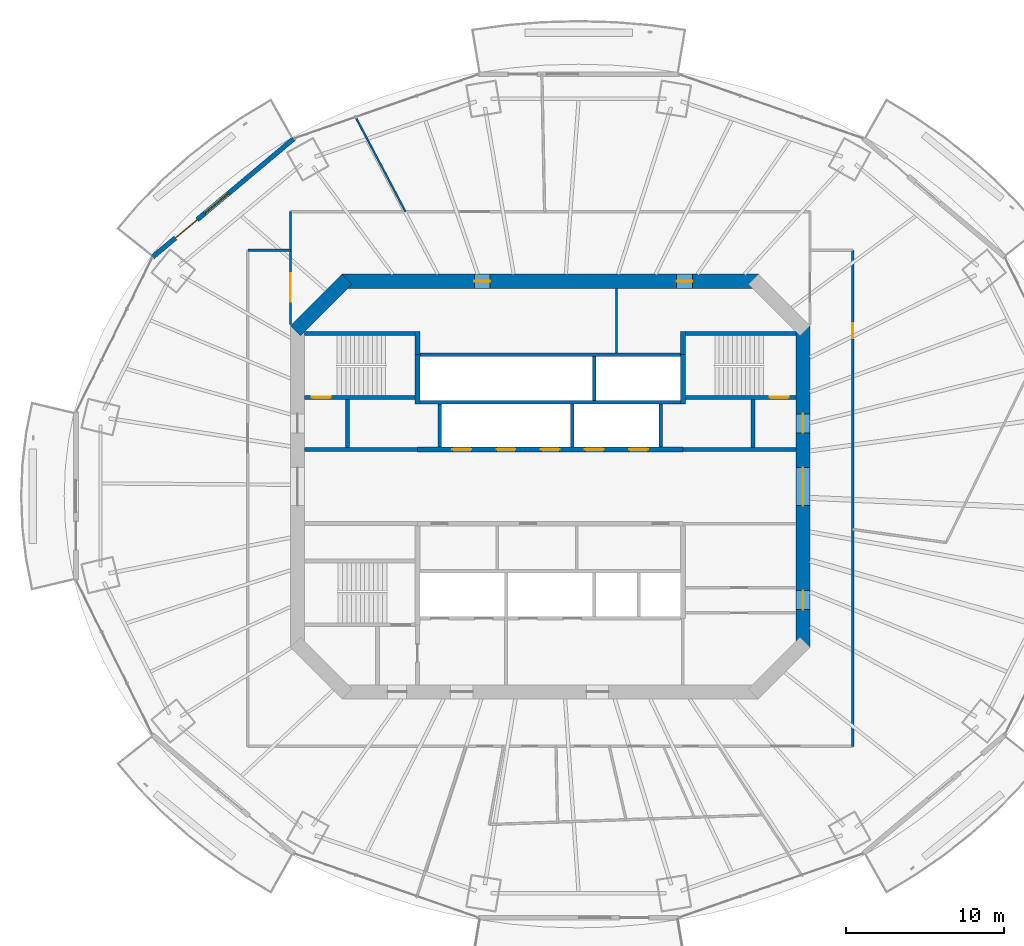
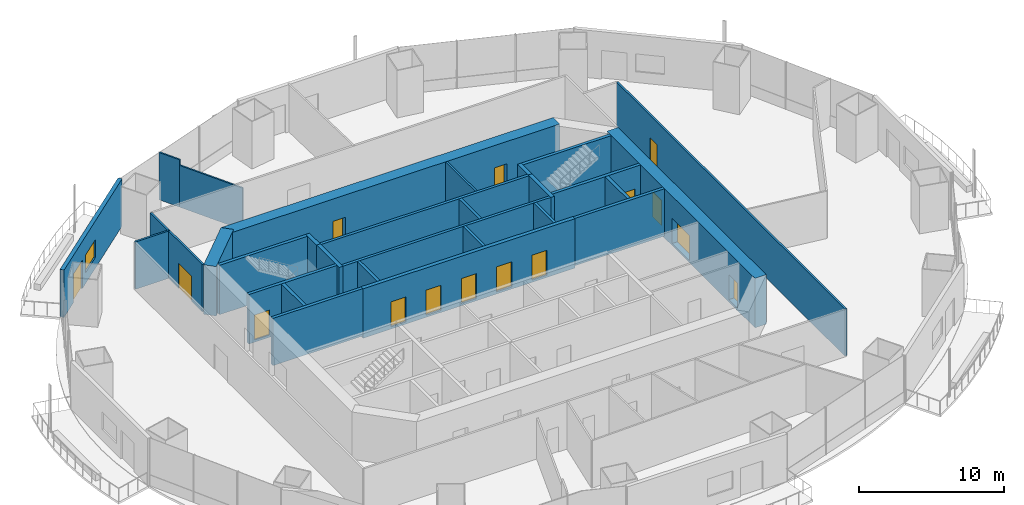
# One storey, part 13 of 20: 29 walls, 15 doors, 1 window, 16 openings.
"""IFC4 building model written with IfcOpenShell, lengths in metres."""

import ifcopenshell
import ifcopenshell.guid

model = None  # the IFC model being written
_history = None  # IfcOwnerHistory: only IFC2X3 demands one
_inside = {}  # id of a spatial element -> (the spatial element, [elements in it])
_under = {}  # id of a project, library or spatial element -> (it, [spatial elements below it])
_declared = {}  # id of a project -> (the project, [libraries it declares])
_typed = {}  # id of a type object -> (the type object, [elements of that type])
_made_of = {}  # id of a material, layer set ... -> (it, [elements and type objects made of it])


def new_model(schema):
    """Start an empty IFC model of exactly this schema.

    Asked for "IFC4X3", IfcOpenShell would pick the latest addendum, in which some entities
    have other attributes; the version numbers below select the first issue.
    IFC2X3 requires an IfcOwnerHistory on every rooted entity: one is made here for all.
    """
    global model, _history
    if schema == "IFC4X3":
        model = ifcopenshell.file(schema_version=(4, 3, 0, 0))
    else:
        model = ifcopenshell.file(schema=schema)
    _inside.clear()
    _under.clear()
    _declared.clear()
    _typed.clear()
    _made_of.clear()
    _history = None
    if model.schema == "IFC2X3":
        org = make("IfcOrganization", Name="unknown")
        user = make(
            "IfcPersonAndOrganization",
            ThePerson=make("IfcPerson", FamilyName="unknown"),
            TheOrganization=org,
        )
        app = make(
            "IfcApplication",
            ApplicationDeveloper=org,
            Version="unknown",
            ApplicationFullName="unknown",
            ApplicationIdentifier="unknown",
        )
        _history = make(
            "IfcOwnerHistory",
            OwningUser=user,
            OwningApplication=app,
            ChangeAction="ADDED",
            CreationDate=0,
        )
    return model


def make(cls, **values):
    """One entity of the class cls with the attributes given. An attribute that is None is left unset."""
    return model.create_entity(
        cls, **{name: value for name, value in values.items() if value is not None}
    )


def rooted(cls, **values):
    """An entity with a GlobalId (a new one), such as an element, a storey or a relation."""
    return make(cls, GlobalId=ifcopenshell.guid.new(), OwnerHistory=_history, **values)


def si_unit(unit_type, name, prefix=None):
    """IfcSIUnit, for example si_unit("LENGTHUNIT", "METRE", prefix="MILLI")."""
    return make("IfcSIUnit", UnitType=unit_type, Prefix=prefix, Name=name)


def assignment(units):
    """IfcUnitAssignment: the units of a project."""
    return None if units is None else make("IfcUnitAssignment", Units=units)


def point(xyz):
    """IfcCartesianPoint."""
    return None if xyz is None else make("IfcCartesianPoint", Coordinates=xyz)


def direction(xyz):
    """IfcDirection."""
    return None if xyz is None else make("IfcDirection", DirectionRatios=xyz)


def frame(location, z_axis=None, x_axis=None):
    """IfcAxis2Placement3D, a coordinate frame: its origin and axes. An axis left out is left unset."""
    return make(
        "IfcAxis2Placement3D",
        Location=point(location),
        Axis=direction(z_axis),
        RefDirection=direction(x_axis),
    )


def frame_2d(location, x_axis=None):
    """IfcAxis2Placement2D, a coordinate frame in the plane: its origin and x axis."""
    return make(
        "IfcAxis2Placement2D", Location=point(location), RefDirection=direction(x_axis)
    )


def origin():
    """The frame at (0, 0, 0) with its axes left unset."""
    return frame((0.0, 0.0, 0.0))


def place(relative_to, where):
    """IfcLocalPlacement: puts the frame where relative to a parent placement (None: the world)."""
    return make(
        "IfcLocalPlacement", PlacementRelTo=relative_to, RelativePlacement=where
    )


def context(
    kind, dimensions, precision=None, world=None, true_north=None, identifier=None
):
    """IfcGeometricRepresentationContext, for example the 3D "Model" context."""
    return make(
        "IfcGeometricRepresentationContext",
        ContextIdentifier=identifier,
        ContextType=kind,
        CoordinateSpaceDimension=dimensions,
        Precision=precision,
        WorldCoordinateSystem=world,
        TrueNorth=true_north,
    )


def subcontext(parent, identifier, kind, view, scale=None):
    """IfcGeometricRepresentationSubContext, for example "Body" below "Model"."""
    return make(
        "IfcGeometricRepresentationSubContext",
        ContextIdentifier=identifier,
        ContextType=kind,
        ParentContext=parent,
        TargetScale=scale,
        TargetView=view,
    )


def project(units=None, contexts=None):
    """IfcProject with its units and contexts."""
    return rooted(
        "IfcProject",
        Name="project",
        RepresentationContexts=contexts,
        UnitsInContext=assignment(units),
    )


def spatial(cls, under=None, at=None, **own):
    """A site, building, storey or space (cls), placed at a placement, below another one or the project."""
    s = rooted(cls, ObjectPlacement=at, **own)
    if under is not None:
        _under.setdefault(under.id(), (under, []))[1].append(s)
    return s


def profile(cls, at=None, kind="AREA", **sizes):
    """A parametric profile (cls). Its sizes go by their IFC names, for example OverallWidth=200.0."""
    return make(cls, ProfileType=kind, Position=at, **sizes)


def rectangle(**sizes):
    """IfcRectangleProfileDef."""
    return profile("IfcRectangleProfileDef", **sizes)


def extrude(swept, where, along, depth):
    """IfcExtrudedAreaSolid: the profile swept, set in the frame where, extruded along a direction by depth."""
    return make(
        "IfcExtrudedAreaSolid",
        SweptArea=swept,
        Position=where,
        ExtrudedDirection=direction(along),
        Depth=depth,
    )


def shape(context_of_items, identifier, shape_type, items):
    """IfcShapeRepresentation: the items that make up one representation, for example the "Body"."""
    return make(
        "IfcShapeRepresentation",
        ContextOfItems=context_of_items,
        RepresentationIdentifier=identifier,
        RepresentationType=shape_type,
        Items=items,
    )


def material(Name=None, Category=None):
    """IfcMaterial."""
    return make("IfcMaterial", Name=Name, Category=Category)


def layer(
    of_material, thickness, ventilated=None, Name=None, Category=None, Priority=None
):
    """IfcMaterialLayer: one layer of a wall or slab, of a material (None: an air gap)."""
    return make(
        "IfcMaterialLayer",
        Material=of_material,
        LayerThickness=thickness,
        IsVentilated=ventilated,
        Name=Name,
        Category=Category,
        Priority=Priority,
    )


def layer_set(layers, Name=None):
    """IfcMaterialLayerSet."""
    return make("IfcMaterialLayerSet", MaterialLayers=layers, LayerSetName=Name)


def made_of(thing, what):
    """Note that an element or type object is made of a material, layer set ...; save() writes the relation."""
    if what is not None:
        _made_of.setdefault(what.id(), (what, []))[1].append(thing)
    return thing


def type_object(cls, material=None, **own):
    """A type object (cls), such as IfcWallType, which elements share."""
    return made_of(rooted(cls, **own), material)


def element(
    cls,
    number,
    at=None,
    inside=None,
    cuts=None,
    type_object=None,
    material=None,
    context=None,
    identifier="Body",
    shape_type=None,
    held_by="IfcProductDefinitionShape",
    body=None,
    shapes=None,
    **own,
):
    """One element of the class cls, such as IfcWall. Its Tag is "e" and its number.

    at: its placement. inside: the storey or other place that contains it. cuts: it is an
    opening in that element (IfcRelVoidsElement). A single representation is given by context,
    identifier, shape_type and body (its items); several are given by shapes. held_by: the class
    of the entity that holds the representations. save() writes the other relations.
    """
    e = rooted(cls, Tag="e%d" % number, ObjectPlacement=at, **own)
    if body is not None:
        shapes = [shape(context, identifier, shape_type, body)]
    if shapes is not None:
        e.Representation = make(held_by, Representations=shapes)
    if inside is not None:
        _inside.setdefault(inside.id(), (inside, []))[1].append(e)
    if cuts is not None:
        rooted(
            "IfcRelVoidsElement", RelatingBuildingElement=cuts, RelatedOpeningElement=e
        )
    if type_object is not None:
        _typed.setdefault(type_object.id(), (type_object, []))[1].append(e)
    return made_of(e, material)


def fill(opening, filler):
    """IfcRelFillsElement: the door or window that sits in an opening."""
    return rooted(
        "IfcRelFillsElement",
        RelatingOpeningElement=opening,
        RelatedBuildingElement=filler,
    )


def aggregate(whole, parts):
    """IfcRelAggregates: a whole, such as a stair, and the parts it consists of."""
    return rooted("IfcRelAggregates", RelatingObject=whole, RelatedObjects=parts)


def save(model, path):
    """Write the relations noted so far, then the file.

    IfcRelAggregates (storeys below a building ...), IfcRelContainedInSpatialStructure (elements
    in a storey), IfcRelDefinesByType, IfcRelAssociatesMaterial and IfcRelDeclares: one each for
    every whole, place, type object, material and project.
    """
    for whole, parts in _under.values():
        aggregate(whole, parts)
    for where, things in _inside.values():
        rooted(
            "IfcRelContainedInSpatialStructure",
            RelatedElements=things,
            RelatingStructure=where,
        )
    for kind, things in _typed.values():
        rooted("IfcRelDefinesByType", RelatedObjects=things, RelatingType=kind)
    for what, things in _made_of.values():
        rooted("IfcRelAssociatesMaterial", RelatedObjects=things, RelatingMaterial=what)
    for by, libraries in _declared.values():
        rooted("IfcRelDeclares", RelatingContext=by, RelatedDefinitions=libraries)
    model.write(path)


model = new_model("IFC4")

# Units and contexts
model_context = context("Model", 3, precision=1e-05, world=origin(), true_north=direction((0.0, 1.0)))
body_context = subcontext(model_context, "Body", "Model", "MODEL_VIEW")
ifc_project = project(units=[si_unit("LENGTHUNIT", "METRE"), si_unit("AREAUNIT", "SQUARE_METRE"), si_unit("VOLUMEUNIT", "CUBIC_METRE"), si_unit("PLANEANGLEUNIT", "RADIAN"), si_unit("MASSUNIT", "GRAM", prefix="KILO")], contexts=[model_context])

# Site, building, storey
site_placement = place(None, origin())
site = spatial("IfcSite", under=ifc_project, at=site_placement, CompositionType="ELEMENT")
building_placement = place(site_placement, origin())
building = spatial("IfcBuilding", under=site, at=building_placement, Name="Marenthal Gate Tower", CompositionType="ELEMENT")
storey_placement = place(building_placement, frame((0.0, 0.0, 173.5)))
storey = spatial("IfcBuildingStorey", under=building, at=storey_placement, Name="L37", CompositionType="ELEMENT", Elevation=173.5)

# Wall, openings, doors
ifc_material_1 = material(Name="Concrete 60 MPa", Category="concrete")
ifc_layer_1 = layer(ifc_material_1, 0.89990234375)
ifc_layer_set_1 = layer_set([ifc_layer_1], Name="Core shear wall 900")
wall_type_1 = type_object("IfcWallType", Name="Core shear wall 900", PredefinedType="SHEAR", material=ifc_layer_set_1)
wall_1_placement = place(storey_placement, frame((16.0, -10.186279296875, -0.179931640625), z_axis=(0.0, 0.0, 1.0), x_axis=(0.0, 1.0, 0.0)))
wall_1 = element("IfcWall", 1, at=wall_1_placement, inside=storey, type_object=wall_type_1, Name="Core wall 02", PredefinedType="SHEAR", context=body_context, shape_type="SweptSolid", body=[
    extrude(rectangle(XDim=20.37255859375, YDim=0.89990234375, at=frame_2d((10.186279296875, 0.0))), origin(), (0.0, 0.0, 1.0), 4.14990234375),
])
opening_1_placement = place(wall_1_placement, frame((8.986328125, 0.0, 0.179931640625)))
opening_1 = element("IfcOpeningElement", 2, at=opening_1_placement, cuts=wall_1, Name="Opening D003.02", PredefinedType="OPENING", context=body_context, shape_type="SweptSolid", body=[
    extrude(rectangle(XDim=2.39990234375, YDim=2.10009765625, at=frame_2d((1.199951171875, 1.050048828125))), frame((0.0, 0.4599609375, 0.0), z_axis=(0.0, -1.0, 0.0), x_axis=(1.0, 0.0, 0.0)), (0.0, 0.0, 1.0), 0.919921875),
])
opening_2_placement = place(wall_1_placement, frame((13.58642578125, 0.0, 0.179931640625)))
opening_2 = element("IfcOpeningElement", 3, at=opening_2_placement, cuts=wall_1, Name="Opening D001.05", PredefinedType="OPENING", context=body_context, shape_type="SweptSolid", body=[
    extrude(rectangle(XDim=1.199951171875, YDim=2.10009765625, at=frame_2d((0.60009765625, 1.050048828125))), frame((0.0, 0.4599609375, 0.0), z_axis=(0.0, -1.0, 0.0), x_axis=(1.0, 0.0, 0.0)), (0.0, 0.0, 1.0), 0.919921875),
])
opening_3_placement = place(wall_1_placement, frame((2.39990234375, 0.0, 0.179931640625)))
opening_3 = element("IfcOpeningElement", 4, at=opening_3_placement, cuts=wall_1, Name="Opening D006.01", PredefinedType="OPENING", context=body_context, shape_type="SweptSolid", body=[
    extrude(rectangle(XDim=1.199951171875, YDim=2.10009765625, at=frame_2d((0.60009765625, 1.050048828125))), frame((0.0, 0.4599609375, 0.0), z_axis=(0.0, -1.0, 0.0), x_axis=(1.0, 0.0, 0.0)), (0.0, 0.0, 1.0), 0.919921875),
])
ifc_material_2 = material(Name="Steel fire door", Category="steel")
door_type_1 = type_object("IfcDoorType", Name="Double fire door FD 45 2400 x 2100", OperationType="DOUBLE_DOOR_SINGLE_SWING", PredefinedType="DOOR", material=ifc_material_2)
door_1_placement = place(opening_1_placement, origin())
door_1 = element("IfcDoor", 5, at=door_1_placement, inside=storey, type_object=door_type_1, Name="Door D003.02", OperationType="DOUBLE_DOOR_SINGLE_SWING", OverallHeight=2.10009765625, OverallWidth=2.39990234375, PredefinedType="DOOR", context=body_context, shape_type="SweptSolid", body=[
    extrude(rectangle(XDim=2.39990234375, YDim=2.10009765625, at=frame_2d((1.199951171875, 1.050048828125))), frame((0.0, 0.02490234375, 0.0), z_axis=(0.0, -1.0, 0.0), x_axis=(1.0, 0.0, 0.0)), (0.0, 0.0, 1.0), 0.050048828125),
])
fill(opening_1, door_1)
ifc_material_3 = material(Name="Steel fire door", Category="steel")
door_type_2 = type_object("IfcDoorType", Name="Fire door FD 45 1200 x 2100", OperationType="NOTDEFINED", PredefinedType="DOOR", material=ifc_material_3)
door_2_placement = place(opening_3_placement, origin())
door_2 = element("IfcDoor", 6, at=door_2_placement, inside=storey, type_object=door_type_2, Name="Door D006.01", OperationType="SINGLE_SWING_RIGHT", OverallHeight=2.10009765625, OverallWidth=1.199951171875, PredefinedType="DOOR", context=body_context, shape_type="SweptSolid", body=[
    extrude(rectangle(XDim=1.199951171875, YDim=2.10009765625, at=frame_2d((0.60009765625, 1.050048828125))), frame((0.0, 0.02490234375, 0.0), z_axis=(0.0, -1.0, 0.0), x_axis=(1.0, 0.0, 0.0)), (0.0, 0.0, 1.0), 0.050048828125),
])
fill(opening_3, door_2)
ifc_material_4 = material(Name="Steel fire door", Category="steel")
door_type_3 = type_object("IfcDoorType", Name="Fire door FD 90 1200 x 2100", OperationType="NOTDEFINED", PredefinedType="DOOR", material=ifc_material_4)
door_3_placement = place(opening_2_placement, origin())
door_3 = element("IfcDoor", 7, at=door_3_placement, inside=storey, type_object=door_type_3, Name="Door D001.05", OperationType="SINGLE_SWING_RIGHT", OverallHeight=2.10009765625, OverallWidth=1.199951171875, PredefinedType="DOOR", context=body_context, shape_type="SweptSolid", body=[
    extrude(rectangle(XDim=1.199951171875, YDim=2.10009765625, at=frame_2d((0.60009765625, 1.050048828125))), frame((0.0, 0.02490234375, 0.0), z_axis=(0.0, -1.0, 0.0), x_axis=(1.0, 0.0, 0.0)), (0.0, 0.0, 1.0), 0.050048828125),
])
fill(opening_2, door_3)

wall_2_placement = place(storey_placement, frame((13.186279296875, 13.0, -0.179931640625), z_axis=(0.0, 0.0, 1.0), x_axis=(-1.0, 0.0, 0.0)))
wall_2 = element("IfcWall", 8, at=wall_2_placement, inside=storey, type_object=wall_type_1, Name="Core wall 04", PredefinedType="SHEAR", context=body_context, shape_type="SweptSolid", body=[
    extrude(rectangle(XDim=26.37255859375, YDim=0.89990234375, at=frame_2d((13.186279296875, 0.0))), origin(), (0.0, 0.0, 1.0), 4.14990234375),
])
opening_4_placement = place(wall_2_placement, frame((16.993408203125, 0.0, 0.179931640625)))
opening_4 = element("IfcOpeningElement", 9, at=opening_4_placement, cuts=wall_2, Name="Opening D005.04", PredefinedType="OPENING", context=body_context, shape_type="SweptSolid", body=[
    extrude(rectangle(XDim=1.0, YDim=2.10009765625, at=frame_2d((0.5, 1.050048828125))), frame((0.0, 0.4599609375, 0.0), z_axis=(0.0, -1.0, 0.0), x_axis=(1.0, 0.0, 0.0)), (0.0, 0.0, 1.0), 0.919921875),
])
opening_5_placement = place(wall_2_placement, frame((4.179443359375, 0.0, 0.179931640625)))
opening_5 = element("IfcOpeningElement", 10, at=opening_5_placement, cuts=wall_2, Name="Opening D005.05", PredefinedType="OPENING", context=body_context, shape_type="SweptSolid", body=[
    extrude(rectangle(XDim=1.0, YDim=2.10009765625, at=frame_2d((0.5, 1.050048828125))), frame((0.0, 0.4599609375, 0.0), z_axis=(0.0, -1.0, 0.0), x_axis=(1.0, 0.0, 0.0)), (0.0, 0.0, 1.0), 0.919921875),
])
ifc_material_5 = material(Name="Steel fire door", Category="steel")
door_type_4 = type_object("IfcDoorType", Name="Fire door FD 45 1000 x 2100", OperationType="NOTDEFINED", PredefinedType="DOOR", material=ifc_material_5)
door_4_placement = place(opening_4_placement, origin())
door_4 = element("IfcDoor", 11, at=door_4_placement, inside=storey, type_object=door_type_4, Name="Door D005.04", OperationType="SINGLE_SWING_RIGHT", OverallHeight=2.10009765625, OverallWidth=1.0, PredefinedType="DOOR", context=body_context, shape_type="SweptSolid", body=[
    extrude(rectangle(XDim=1.0, YDim=2.10009765625, at=frame_2d((0.5, 1.050048828125))), frame((0.0, 0.02490234375, 0.0), z_axis=(0.0, -1.0, 0.0), x_axis=(1.0, 0.0, 0.0)), (0.0, 0.0, 1.0), 0.050048828125),
])
fill(opening_4, door_4)
door_5_placement = place(opening_5_placement, origin())
door_5 = element("IfcDoor", 12, at=door_5_placement, inside=storey, type_object=door_type_4, Name="Door D005.05", OperationType="SINGLE_SWING_RIGHT", OverallHeight=2.10009765625, OverallWidth=1.0, PredefinedType="DOOR", context=body_context, shape_type="SweptSolid", body=[
    extrude(rectangle(XDim=1.0, YDim=2.10009765625, at=frame_2d((0.5, 1.050048828125))), frame((0.0, 0.02490234375, 0.0), z_axis=(0.0, -1.0, 0.0), x_axis=(1.0, 0.0, 0.0)), (0.0, 0.0, 1.0), 0.050048828125),
])
fill(opening_5, door_5)

# Wall
wall_3_placement = place(storey_placement, frame((-12.8681640625, 13.1318359375, -0.179931640625), z_axis=(0.0, 0.0, 1.0), x_axis=(-0.707106781187, -0.707106781187, 0.0)))
element("IfcWall", 13, at=wall_3_placement, inside=storey, type_object=wall_type_1, Name="Core wall 05", PredefinedType="SHEAR", context=body_context, shape_type="SweptSolid", body=[
    extrude(rectangle(XDim=4.615478515625, YDim=0.89990234375, at=frame_2d((2.3076171875, 0.0))), origin(), (0.0, 0.0, 1.0), 4.14990234375),
])

# Wall, openings, doors
ifc_material_6 = material(Name="Concrete 50 MPa", Category="concrete")
ifc_layer_2 = layer(ifc_material_6, 0.300048828125)
ifc_layer_set_2 = layer_set([ifc_layer_2], Name="Hoistway shear wall 300")
wall_type_2 = type_object("IfcWallType", Name="Hoistway shear wall 300", PredefinedType="SHEAR", material=ifc_layer_set_2)
wall_4_placement = place(storey_placement, frame((-8.39990234375, 2.35009765625, -0.179931640625), z_axis=(0.0, 0.0, 1.0), x_axis=(1.0, 0.0, 0.0)))
wall_4 = element("IfcWall", 14, at=wall_4_placement, inside=storey, type_object=wall_type_2, Name="Hoistway wall 20", PredefinedType="SHEAR", context=body_context, shape_type="SweptSolid", body=[
    extrude(rectangle(XDim=16.7998046875, YDim=0.300048828125, at=frame_2d((8.39990234375, 0.0))), origin(), (0.0, 0.0, 1.0), 4.14990234375),
])
opening_6_placement = place(wall_4_placement, frame((2.199951171875, 0.0, 0.179931640625)))
opening_6 = element("IfcOpeningElement", 15, at=opening_6_placement, cuts=wall_4, Name="Opening LD-MP1", PredefinedType="OPENING", context=body_context, shape_type="SweptSolid", body=[
    extrude(rectangle(XDim=1.199951171875, YDim=2.10009765625, at=frame_2d((0.60009765625, 1.050048828125))), frame((0.0, 0.16015625, 0.0), z_axis=(0.0, -1.0, 0.0), x_axis=(1.0, 0.0, 0.0)), (0.0, 0.0, 1.0), 0.320068359375),
])
opening_7_placement = place(wall_4_placement, frame((5.0, 0.0, 0.179931640625)))
opening_7 = element("IfcOpeningElement", 16, at=opening_7_placement, cuts=wall_4, Name="Opening LD-MP2", PredefinedType="OPENING", context=body_context, shape_type="SweptSolid", body=[
    extrude(rectangle(XDim=1.199951171875, YDim=2.10009765625, at=frame_2d((0.60009765625, 1.050048828125))), frame((0.0, 0.16015625, 0.0), z_axis=(0.0, -1.0, 0.0), x_axis=(1.0, 0.0, 0.0)), (0.0, 0.0, 1.0), 0.320068359375),
])
opening_8_placement = place(wall_4_placement, frame((7.800048828125, 0.0, 0.179931640625)))
opening_8 = element("IfcOpeningElement", 17, at=opening_8_placement, cuts=wall_4, Name="Opening LD-MP3", PredefinedType="OPENING", context=body_context, shape_type="SweptSolid", body=[
    extrude(rectangle(XDim=1.199951171875, YDim=2.10009765625, at=frame_2d((0.60009765625, 1.050048828125))), frame((0.0, 0.16015625, 0.0), z_axis=(0.0, -1.0, 0.0), x_axis=(1.0, 0.0, 0.0)), (0.0, 0.0, 1.0), 0.320068359375),
])
opening_9_placement = place(wall_4_placement, frame((10.60009765625, 0.0, 0.179931640625)))
opening_9 = element("IfcOpeningElement", 18, at=opening_9_placement, cuts=wall_4, Name="Opening LD-MP4", PredefinedType="OPENING", context=body_context, shape_type="SweptSolid", body=[
    extrude(rectangle(XDim=1.199951171875, YDim=2.10009765625, at=frame_2d((0.60009765625, 1.050048828125))), frame((0.0, 0.16015625, 0.0), z_axis=(0.0, -1.0, 0.0), x_axis=(1.0, 0.0, 0.0)), (0.0, 0.0, 1.0), 0.320068359375),
])
opening_10_placement = place(wall_4_placement, frame((13.39990234375, 0.0, 0.179931640625)))
opening_10 = element("IfcOpeningElement", 19, at=opening_10_placement, cuts=wall_4, Name="Opening LD-MP5", PredefinedType="OPENING", context=body_context, shape_type="SweptSolid", body=[
    extrude(rectangle(XDim=1.199951171875, YDim=2.10009765625, at=frame_2d((0.60009765625, 1.050048828125))), frame((0.0, 0.16015625, 0.0), z_axis=(0.0, -1.0, 0.0), x_axis=(1.0, 0.0, 0.0)), (0.0, 0.0, 1.0), 0.320068359375),
])
ifc_material_7 = material(Name="Stainless steel sliding door", Category="steel")
door_type_5 = type_object("IfcDoorType", Name="Lift landing door FD 90 1200 x 2100", OperationType="DOUBLE_DOOR_SLIDING", PredefinedType="DOOR", material=ifc_material_7)
door_6_placement = place(opening_6_placement, origin())
door_6 = element("IfcDoor", 20, at=door_6_placement, inside=storey, type_object=door_type_5, Name="Lift landing door MP1", OperationType="DOUBLE_DOOR_SLIDING", OverallHeight=2.10009765625, OverallWidth=1.199951171875, PredefinedType="DOOR", context=body_context, shape_type="SweptSolid", body=[
    extrude(rectangle(XDim=1.199951171875, YDim=2.10009765625, at=frame_2d((0.60009765625, 1.050048828125))), frame((0.0, 0.02490234375, 0.0), z_axis=(0.0, -1.0, 0.0), x_axis=(1.0, 0.0, 0.0)), (0.0, 0.0, 1.0), 0.050048828125),
])
fill(opening_6, door_6)
door_7_placement = place(opening_7_placement, origin())
door_7 = element("IfcDoor", 21, at=door_7_placement, inside=storey, type_object=door_type_5, Name="Lift landing door MP2", OperationType="DOUBLE_DOOR_SLIDING", OverallHeight=2.10009765625, OverallWidth=1.199951171875, PredefinedType="DOOR", context=body_context, shape_type="SweptSolid", body=[
    extrude(rectangle(XDim=1.199951171875, YDim=2.10009765625, at=frame_2d((0.60009765625, 1.050048828125))), frame((0.0, 0.02490234375, 0.0), z_axis=(0.0, -1.0, 0.0), x_axis=(1.0, 0.0, 0.0)), (0.0, 0.0, 1.0), 0.050048828125),
])
fill(opening_7, door_7)
door_8_placement = place(opening_8_placement, origin())
door_8 = element("IfcDoor", 22, at=door_8_placement, inside=storey, type_object=door_type_5, Name="Lift landing door MP3", OperationType="DOUBLE_DOOR_SLIDING", OverallHeight=2.10009765625, OverallWidth=1.199951171875, PredefinedType="DOOR", context=body_context, shape_type="SweptSolid", body=[
    extrude(rectangle(XDim=1.199951171875, YDim=2.10009765625, at=frame_2d((0.60009765625, 1.050048828125))), frame((0.0, 0.02490234375, 0.0), z_axis=(0.0, -1.0, 0.0), x_axis=(1.0, 0.0, 0.0)), (0.0, 0.0, 1.0), 0.050048828125),
])
fill(opening_8, door_8)
door_9_placement = place(opening_9_placement, origin())
door_9 = element("IfcDoor", 23, at=door_9_placement, inside=storey, type_object=door_type_5, Name="Lift landing door MP4", OperationType="DOUBLE_DOOR_SLIDING", OverallHeight=2.10009765625, OverallWidth=1.199951171875, PredefinedType="DOOR", context=body_context, shape_type="SweptSolid", body=[
    extrude(rectangle(XDim=1.199951171875, YDim=2.10009765625, at=frame_2d((0.60009765625, 1.050048828125))), frame((0.0, 0.02490234375, 0.0), z_axis=(0.0, -1.0, 0.0), x_axis=(1.0, 0.0, 0.0)), (0.0, 0.0, 1.0), 0.050048828125),
])
fill(opening_9, door_9)
door_10_placement = place(opening_10_placement, origin())
door_10 = element("IfcDoor", 24, at=door_10_placement, inside=storey, type_object=door_type_5, Name="Lift landing door MP5", OperationType="DOUBLE_DOOR_SLIDING", OverallHeight=2.10009765625, OverallWidth=1.199951171875, PredefinedType="DOOR", context=body_context, shape_type="SweptSolid", body=[
    extrude(rectangle(XDim=1.199951171875, YDim=2.10009765625, at=frame_2d((0.60009765625, 1.050048828125))), frame((0.0, 0.02490234375, 0.0), z_axis=(0.0, -1.0, 0.0), x_axis=(1.0, 0.0, 0.0)), (0.0, 0.0, 1.0), 0.050048828125),
])
fill(opening_10, door_10)

# Walls
for number, where, z_axis, x_axis, name in (
    (25, (-8.39990234375, 5.239990234375, -0.179931640625), (0.0, 0.0, 1.0), (0.0, 1.0, 0.0), "Hoistway wall 32"),
    (26, (8.39990234375, 5.239990234375, -0.179931640625), (0.0, 0.0, 1.0), (0.0, 1.0, 0.0), "Hoistway wall 47"),
):
    element("IfcWall", number, at=place(storey_placement, frame(where, z_axis=z_axis, x_axis=x_axis)), inside=storey, type_object=wall_type_2, Name=name, PredefinedType="SHEAR", context=body_context, shape_type="SweptSolid", body=[
        extrude(rectangle(XDim=3.110107421875, YDim=0.300048828125, at=frame_2d((1.55517578125, 0.0))), origin(), (0.0, 0.0, 1.0), 4.14990234375),
    ])
ifc_material_8 = material(Name="Concrete 40 MPa", Category="concrete")
ifc_layer_3 = layer(ifc_material_8, 0.219970703125)
ifc_layer_set_3 = layer_set([ifc_layer_3], Name="Hoistway wall 220")
wall_type_3 = type_object("IfcWallType", Name="Hoistway wall 220", PredefinedType="STANDARD", material=ifc_layer_set_3)
for number, where, z_axis, x_axis, name in (
    (27, (-8.25, 5.35009765625, 0.0), (0.0, 0.0, 1.0), (1.0, 0.0, 0.0), "Hoistway wall 22"),
    (28, (-8.25, 8.35009765625, 0.0), (0.0, 0.0, 1.0), (1.0, 0.0, 0.0), "Hoistway wall 25"),
):
    element("IfcWall", number, at=place(storey_placement, frame(where, z_axis=z_axis, x_axis=x_axis)), inside=storey, type_object=wall_type_3, Name=name, PredefinedType="STANDARD", context=body_context, shape_type="SweptSolid", body=[
        extrude(rectangle(XDim=16.5, YDim=0.219970703125, at=frame_2d((8.25, 0.0))), origin(), (0.0, 0.0, 1.0), 3.969970703125),
    ])
for number, where, z_axis, x_axis, name in (
    (29, (-7.0, 2.5, 0.0), (0.0, 0.0, 1.0), (0.0, 1.0, 0.0), "Hoistway wall 34"),
    (30, (1.39990234375, 2.5, 0.0), (0.0, 0.0, 1.0), (0.0, 1.0, 0.0), "Hoistway wall 38"),
):
    element("IfcWall", number, at=place(storey_placement, frame(where, z_axis=z_axis, x_axis=x_axis)), inside=storey, type_object=wall_type_3, Name=name, PredefinedType="STANDARD", context=body_context, shape_type="SweptSolid", body=[
        extrude(rectangle(XDim=2.739990234375, YDim=0.219970703125, at=frame_2d((1.3701171875, 0.0))), origin(), (0.0, 0.0, 1.0), 3.969970703125),
    ])
wall_5_placement = place(storey_placement, frame((2.800048828125, 5.4599609375, 0.0), z_axis=(0.0, 0.0, 1.0), x_axis=(0.0, 1.0, 0.0)))
element("IfcWall", 31, at=wall_5_placement, inside=storey, type_object=wall_type_3, Name="Hoistway wall 41", PredefinedType="STANDARD", context=body_context, shape_type="SweptSolid", body=[
    extrude(rectangle(XDim=2.780029296875, YDim=0.219970703125, at=frame_2d((1.39013671875, 0.0))), origin(), (0.0, 0.0, 1.0), 3.969970703125),
])
wall_6_placement = place(storey_placement, frame((7.0, 2.5, 0.0), z_axis=(0.0, 0.0, 1.0), x_axis=(0.0, 1.0, 0.0)))
element("IfcWall", 32, at=wall_6_placement, inside=storey, type_object=wall_type_3, Name="Hoistway wall 44", PredefinedType="STANDARD", context=body_context, shape_type="SweptSolid", body=[
    extrude(rectangle(XDim=2.739990234375, YDim=0.219970703125, at=frame_2d((1.3701171875, 0.0))), origin(), (0.0, 0.0, 1.0), 3.969970703125),
])
ifc_material_9 = material(Name="Gypsum board on steel studs", Category="steel")
ifc_layer_4 = layer(ifc_material_9, 0.1201171875)
ifc_layer_set_4 = layer_set([ifc_layer_4], Name="Partition 120")
wall_type_4 = type_object("IfcWallType", Name="Partition 120", PredefinedType="PARTITIONING", material=ifc_layer_set_4)
wall_7_placement = place(storey_placement, frame((-9.169189453125, 17.408935546875, 0.0), z_axis=(0.0, 0.0, 1.0), x_axis=(-0.466012759034, 0.88477799951, 0.0)))
element("IfcWall", 33, at=wall_7_placement, inside=storey, type_object=wall_type_4, Name="Partition wall 54", PredefinedType="PARTITIONING", context=body_context, shape_type="SweptSolid", body=[
    extrude(rectangle(XDim=5.10009765625, YDim=0.1201171875, at=frame_2d((2.550048828125, 0.0))), origin(), (0.0, 0.0, 1.0), 3.5029296875),
])
wall_8_placement = place(storey_placement, frame((-11.5458984375, 21.92138671875, 0.0), z_axis=(0.0, 0.0, 1.0), x_axis=(-0.465981879328, 0.88479426317, 0.0)))
element("IfcWall", 34, at=wall_8_placement, inside=storey, type_object=wall_type_4, Name="Partition wall 70", PredefinedType="PARTITIONING", context=body_context, shape_type="SweptSolid", body=[
    extrude(rectangle(XDim=1.66650390625, YDim=0.1201171875, at=frame_2d((0.833251953125, 0.0))), origin(), (0.0, 0.0, 1.0), 3.969970703125),
])
ifc_material_10 = material(Name="Gypsum board on steel studs", Category="steel")
ifc_layer_5 = layer(ifc_material_10, 0.14990234375)
ifc_layer_set_5 = layer_set([ifc_layer_5], Name="Partition 150")
wall_type_5 = type_object("IfcWallType", Name="Partition 150", PredefinedType="PARTITIONING", material=ifc_layer_set_5)
wall_9_placement = place(storey_placement, frame((4.199951171875, 8.4599609375, 0.0), z_axis=(0.0, 0.0, 1.0), x_axis=(0.0, 1.0, 0.0)))
element("IfcWall", 35, at=wall_9_placement, inside=storey, type_object=wall_type_5, Name="Partition wall 42", PredefinedType="PARTITIONING", context=body_context, shape_type="SweptSolid", body=[
    extrude(rectangle(XDim=4.090087890625, YDim=0.14990234375, at=frame_2d((2.044921875, 0.0))), origin(), (0.0, 0.0, 1.0), 3.969970703125),
])
wall_10_placement = place(storey_placement, frame((-19.14990234375, 14.954833984375, 0.0), z_axis=(0.0, 0.0, 1.0), x_axis=(1.0, 0.0, 0.0)))
element("IfcWall", 36, at=wall_10_placement, inside=storey, type_object=wall_type_5, Name="Partition wall 51", PredefinedType="PARTITIONING", context=body_context, shape_type="SweptSolid", body=[
    extrude(rectangle(XDim=2.699951171875, YDim=0.14990234375, at=frame_2d((1.35009765625, 0.0))), origin(), (0.0, 0.0, 1.0), 3.969970703125),
])

# Wall, opening, door
wall_11_placement = place(storey_placement, frame((-16.449951171875, 10.25, 0.0), z_axis=(0.0, 0.0, 1.0), x_axis=(0.0, 1.0, 0.0)))
wall_11 = element("IfcWall", 37, at=wall_11_placement, inside=storey, type_object=wall_type_5, Name="Partition wall 52", PredefinedType="PARTITIONING", context=body_context, shape_type="SweptSolid", body=[
    extrude(rectangle(XDim=7.158935546875, YDim=0.14990234375, at=frame_2d((3.57958984375, 0.0))), origin(), (0.0, 0.0, 1.0), 3.969970703125),
])
opening_11_placement = place(wall_11_placement, frame((1.451904296875, 0.0, 0.0)))
opening_11 = element("IfcOpeningElement", 38, at=opening_11_placement, cuts=wall_11, Name="Opening D014.04", PredefinedType="OPENING", context=body_context, shape_type="SweptSolid", body=[
    extrude(rectangle(XDim=1.800048828125, YDim=2.10009765625, at=frame_2d((0.89990234375, 1.050048828125))), frame((0.0, 0.0849609375, 0.0), z_axis=(0.0, -1.0, 0.0), x_axis=(1.0, 0.0, 0.0)), (0.0, 0.0, 1.0), 0.169921875),
])
ifc_material_11 = material(Name="Timber door", Category="wood")
door_type_6 = type_object("IfcDoorType", Name="Double door 1800 x 2100", OperationType="DOUBLE_DOOR_SINGLE_SWING", PredefinedType="DOOR", material=ifc_material_11)
door_11_placement = place(opening_11_placement, origin())
door_11 = element("IfcDoor", 39, at=door_11_placement, inside=storey, type_object=door_type_6, Name="Door D014.04", OperationType="DOUBLE_DOOR_SINGLE_SWING", OverallHeight=2.10009765625, OverallWidth=1.800048828125, PredefinedType="DOOR", context=body_context, shape_type="SweptSolid", body=[
    extrude(rectangle(XDim=1.800048828125, YDim=2.10009765625, at=frame_2d((0.89990234375, 1.050048828125))), frame((0.0, 0.02490234375, 0.0), z_axis=(0.0, -1.0, 0.0), x_axis=(1.0, 0.0, 0.0)), (0.0, 0.0, 1.0), 0.050048828125),
])
fill(opening_11, door_11)

wall_12_placement = place(storey_placement, frame((19.14990234375, 14.954833984375, 0.0), z_axis=(0.0, 0.0, 1.0), x_axis=(0.0, -1.0, 0.0)))
wall_12 = element("IfcWall", 40, at=wall_12_placement, inside=storey, type_object=wall_type_5, Name="Partition wall 66", PredefinedType="PARTITIONING", context=body_context, shape_type="SweptSolid", body=[
    extrude(rectangle(XDim=31.40478515625, YDim=0.14990234375, at=frame_2d((15.702392578125, 0.0))), origin(), (0.0, 0.0, 1.0), 3.969970703125),
])
opening_12_placement = place(wall_12_placement, frame((4.612060546875, 0.0, 0.0)))
opening_12 = element("IfcOpeningElement", 41, at=opening_12_placement, cuts=wall_12, Name="Opening D016.06", PredefinedType="OPENING", context=body_context, shape_type="SweptSolid", body=[
    extrude(rectangle(XDim=0.949951171875, YDim=2.10009765625, at=frame_2d((0.47509765625, 1.050048828125))), frame((0.0, 0.0849609375, 0.0), z_axis=(0.0, -1.0, 0.0), x_axis=(1.0, 0.0, 0.0)), (0.0, 0.0, 1.0), 0.169921875),
])
ifc_material_12 = material(Name="Timber door", Category="wood")
door_type_7 = type_object("IfcDoorType", Name="Door 950 x 2100", OperationType="NOTDEFINED", PredefinedType="DOOR", material=ifc_material_12)
door_12_placement = place(opening_12_placement, frame((0.949951171875, 0.0, 0.0), z_axis=(0.0, 0.0, 1.0), x_axis=(-1.0, 0.0, 0.0)))
door_12 = element("IfcDoor", 42, at=door_12_placement, inside=storey, type_object=door_type_7, Name="Door D016.06", OperationType="SINGLE_SWING_LEFT", OverallHeight=2.10009765625, OverallWidth=0.949951171875, PredefinedType="DOOR", context=body_context, shape_type="SweptSolid", body=[
    extrude(rectangle(XDim=0.949951171875, YDim=2.10009765625, at=frame_2d((0.47509765625, 1.050048828125))), frame((0.0, 0.02490234375, 0.0), z_axis=(0.0, -1.0, 0.0), x_axis=(1.0, 0.0, 0.0)), (0.0, 0.0, 1.0), 0.050048828125),
])
fill(opening_12, door_12)

# Walls
ifc_material_13 = material(Name="Concrete 40 MPa", Category="concrete")
ifc_layer_6 = layer(ifc_material_13, 0.25)
ifc_layer_set_6 = layer_set([ifc_layer_6], Name="Stair enclosure wall 250")
wall_type_6 = type_object("IfcWallType", Name="Stair enclosure wall 250", PredefinedType="STANDARD", material=ifc_layer_set_6)
for number, where, z_axis, x_axis, name in (
    (43, (-15.550048828125, 2.35009765625, 0.0), (0.0, 0.0, 1.0), (1.0, 0.0, 0.0), "Stair wall 19"),
    (44, (8.39990234375, 2.35009765625, 0.0), (0.0, 0.0, 1.0), (1.0, 0.0, 0.0), "Stair wall 21"),
):
    element("IfcWall", number, at=place(storey_placement, frame(where, z_axis=z_axis, x_axis=x_axis)), inside=storey, type_object=wall_type_6, Name=name, PredefinedType="STANDARD", context=body_context, shape_type="SweptSolid", body=[
        extrude(rectangle(XDim=7.150146484375, YDim=0.25, at=frame_2d((3.5751953125, 0.0))), origin(), (0.0, 0.0, 1.0), 3.969970703125),
    ])
for number, where, z_axis, x_axis, name in (
    (45, (-12.85009765625, 2.47509765625, 0.0), (0.0, 0.0, 1.0), (0.0, 1.0, 0.0), "Stair wall 28"),
    (46, (12.85009765625, 2.47509765625, 0.0), (0.0, 0.0, 1.0), (0.0, 1.0, 0.0), "Stair wall 49"),
):
    element("IfcWall", number, at=place(storey_placement, frame(where, z_axis=z_axis, x_axis=x_axis)), inside=storey, type_object=wall_type_6, Name=name, PredefinedType="STANDARD", context=body_context, shape_type="SweptSolid", body=[
        extrude(rectangle(XDim=3.0498046875, YDim=0.25, at=frame_2d((1.52490234375, 0.0))), origin(), (0.0, 0.0, 1.0), 3.969970703125),
    ])

# Wall, opening, door
ifc_material_14 = material(Name="Concrete 50 MPa", Category="concrete")
ifc_layer_7 = layer(ifc_material_14, 0.25)
ifc_layer_set_7 = layer_set([ifc_layer_7], Name="Stair shear wall 250")
wall_type_7 = type_object("IfcWallType", Name="Stair shear wall 250", PredefinedType="SHEAR", material=ifc_layer_set_7)
wall_13_placement = place(storey_placement, frame((-15.550048828125, 5.64990234375, -0.179931640625), z_axis=(0.0, 0.0, 1.0), x_axis=(1.0, 0.0, 0.0)))
wall_13 = element("IfcWall", 47, at=wall_13_placement, inside=storey, type_object=wall_type_7, Name="Stair wall 23", PredefinedType="SHEAR", context=body_context, shape_type="SweptSolid", body=[
    extrude(rectangle(XDim=7.0, YDim=0.25, at=frame_2d((3.5, 0.0))), origin(), (0.0, 0.0, 1.0), 4.14990234375),
])
opening_13_placement = place(wall_13_placement, frame((0.449951171875, 0.0, 0.179931640625)))
opening_13 = element("IfcOpeningElement", 48, at=opening_13_placement, cuts=wall_13, Name="Opening D001.01", PredefinedType="OPENING", context=body_context, shape_type="SweptSolid", body=[
    extrude(rectangle(XDim=1.199951171875, YDim=2.10009765625, at=frame_2d((0.60009765625, 1.050048828125))), frame((0.0, 0.135009765625, 0.0), z_axis=(0.0, -1.0, 0.0), x_axis=(1.0, 0.0, 0.0)), (0.0, 0.0, 1.0), 0.27001953125),
])
door_13_placement = place(opening_13_placement, origin())
door_13 = element("IfcDoor", 49, at=door_13_placement, inside=storey, type_object=door_type_3, Name="Door D001.01", OperationType="SINGLE_SWING_RIGHT", OverallHeight=2.10009765625, OverallWidth=1.199951171875, PredefinedType="DOOR", context=body_context, shape_type="SweptSolid", body=[
    extrude(rectangle(XDim=1.199951171875, YDim=2.10009765625, at=frame_2d((0.60009765625, 1.050048828125))), frame((0.0, 0.02490234375, 0.0), z_axis=(0.0, -1.0, 0.0), x_axis=(1.0, 0.0, 0.0)), (0.0, 0.0, 1.0), 0.050048828125),
])
fill(opening_13, door_13)

wall_14_placement = place(storey_placement, frame((8.550048828125, 5.64990234375, -0.179931640625), z_axis=(0.0, 0.0, 1.0), x_axis=(1.0, 0.0, 0.0)))
wall_14 = element("IfcWall", 50, at=wall_14_placement, inside=storey, type_object=wall_type_7, Name="Stair wall 24", PredefinedType="SHEAR", context=body_context, shape_type="SweptSolid", body=[
    extrude(rectangle(XDim=7.0, YDim=0.25, at=frame_2d((3.5, 0.0))), origin(), (0.0, 0.0, 1.0), 4.14990234375),
])
opening_14_placement = place(wall_14_placement, frame((5.35009765625, 0.0, 0.179931640625)))
opening_14 = element("IfcOpeningElement", 51, at=opening_14_placement, cuts=wall_14, Name="Opening D001.02", PredefinedType="OPENING", context=body_context, shape_type="SweptSolid", body=[
    extrude(rectangle(XDim=1.199951171875, YDim=2.10009765625, at=frame_2d((0.60009765625, 1.050048828125))), frame((0.0, 0.135009765625, 0.0), z_axis=(0.0, -1.0, 0.0), x_axis=(1.0, 0.0, 0.0)), (0.0, 0.0, 1.0), 0.27001953125),
])
door_14_placement = place(opening_14_placement, origin())
door_14 = element("IfcDoor", 52, at=door_14_placement, inside=storey, type_object=door_type_3, Name="Door D001.02", OperationType="SINGLE_SWING_RIGHT", OverallHeight=2.10009765625, OverallWidth=1.199951171875, PredefinedType="DOOR", context=body_context, shape_type="SweptSolid", body=[
    extrude(rectangle(XDim=1.199951171875, YDim=2.10009765625, at=frame_2d((0.60009765625, 1.050048828125))), frame((0.0, 0.02490234375, 0.0), z_axis=(0.0, -1.0, 0.0), x_axis=(1.0, 0.0, 0.0)), (0.0, 0.0, 1.0), 0.050048828125),
])
fill(opening_14, door_14)

# Walls
for number, where, z_axis, x_axis, name in (
    (53, (-15.550048828125, 9.699951171875, -0.179931640625), (0.0, 0.0, 1.0), (1.0, 0.0, 0.0), "Stair wall 26"),
    (54, (8.550048828125, 9.699951171875, -0.179931640625), (0.0, 0.0, 1.0), (1.0, 0.0, 0.0), "Stair wall 27"),
):
    element("IfcWall", number, at=place(storey_placement, frame(where, z_axis=z_axis, x_axis=x_axis)), inside=storey, type_object=wall_type_7, Name=name, PredefinedType="SHEAR", context=body_context, shape_type="SweptSolid", body=[
        extrude(rectangle(XDim=7.0, YDim=0.25, at=frame_2d((3.5, 0.0))), origin(), (0.0, 0.0, 1.0), 4.14990234375),
    ])
ifc_material_15 = material(Name="Concrete 50 MPa", Category="concrete")
ifc_layer_8 = layer(ifc_material_15, 0.300048828125)
ifc_layer_set_8 = layer_set([ifc_layer_8], Name="Stair shear wall 300")
wall_type_8 = type_object("IfcWallType", Name="Stair shear wall 300", PredefinedType="SHEAR", material=ifc_layer_set_8)
for number, where, z_axis, x_axis, name in (
    (55, (-8.39990234375, 8.35009765625, -0.179931640625), (0.0, 0.0, 1.0), (0.0, 1.0, 0.0), "Stair wall 33"),
    (56, (8.39990234375, 8.35009765625, -0.179931640625), (0.0, 0.0, 1.0), (0.0, 1.0, 0.0), "Stair wall 48"),
):
    element("IfcWall", number, at=place(storey_placement, frame(where, z_axis=z_axis, x_axis=x_axis)), inside=storey, type_object=wall_type_8, Name=name, PredefinedType="SHEAR", context=body_context, shape_type="SweptSolid", body=[
        extrude(rectangle(XDim=1.474853515625, YDim=0.300048828125, at=frame_2d((0.7373046875, 0.0))), origin(), (0.0, 0.0, 1.0), 4.14990234375),
    ])

# Wall, openings, door, window
ifc_material_16 = material(Name="Terracotta cladding on insulated concrete-block backing", Category="masonry")
ifc_layer_9 = layer(ifc_material_16, 0.300048828125)
ifc_layer_set_9 = layer_set([ifc_layer_9], Name="Terracotta facade wall 300")
wall_type_9 = type_object("IfcWallType", Name="Terracotta facade wall 300", PredefinedType="SOLIDWALL", material=ifc_layer_set_9)
wall_15_placement = place(storey_placement, frame((-16.232177734375, 22.03759765625, 0.0), z_axis=(0.0, 0.0, 1.0), x_axis=(-0.766150735347, -0.642660914268, 0.0)))
wall_15 = element("IfcWall", 57, at=wall_15_placement, inside=storey, type_object=wall_type_9, Name="Terracotta facade wall L37 bay 6", PredefinedType="SOLIDWALL", context=body_context, shape_type="SweptSolid", body=[
    extrude(rectangle(XDim=11.68798828125, YDim=0.300048828125, at=frame_2d((5.843994140625, 0.0))), origin(), (0.0, 0.0, 1.0), 3.969970703125),
])
opening_15_placement = place(wall_15_placement, frame((7.98828125, 0.0, 0.0)))
opening_15 = element("IfcOpeningElement", 58, at=opening_15_placement, cuts=wall_15, Name="Opening BD-L37-06", PredefinedType="OPENING", context=body_context, shape_type="SweptSolid", body=[
    extrude(rectangle(XDim=1.800048828125, YDim=2.39990234375, at=frame_2d((0.89990234375, 1.199951171875))), frame((0.0, 0.16015625, 0.0), z_axis=(0.0, -1.0, 0.0), x_axis=(1.0, 0.0, 0.0)), (0.0, 0.0, 1.0), 0.320068359375),
])
opening_16_placement = place(wall_15_placement, frame((5.38818359375, 0.0, 0.89990234375)))
opening_16 = element("IfcOpeningElement", 59, at=opening_16_placement, cuts=wall_15, Name="Opening WN2-L37-06", PredefinedType="OPENING", context=body_context, shape_type="SweptSolid", body=[
    extrude(rectangle(XDim=2.0, YDim=1.5, at=frame_2d((1.0, 0.75))), frame((0.0, 0.16015625, 0.0), z_axis=(0.0, -1.0, 0.0), x_axis=(1.0, 0.0, 0.0)), (0.0, 0.0, 1.0), 0.320068359375),
])
ifc_material_17 = material(Name="Aluminium and glass", Category="aluminium")
door_type_8 = type_object("IfcDoorType", Name="Balcony door 1800x2400", OperationType="DOUBLE_DOOR_SINGLE_SWING", PredefinedType="DOOR", material=ifc_material_17)
door_15_placement = place(opening_15_placement, origin())
door_15 = element("IfcDoor", 60, at=door_15_placement, inside=storey, type_object=door_type_8, Name="Balcony door L37 bay 6", OperationType="SINGLE_SWING_LEFT", OverallHeight=2.39990234375, OverallWidth=1.800048828125, PredefinedType="DOOR", context=body_context, shape_type="SweptSolid", body=[
    extrude(rectangle(XDim=1.800048828125, YDim=2.39990234375, at=frame_2d((0.89990234375, 1.199951171875))), frame((0.0, 0.02490234375, 0.0), z_axis=(0.0, -1.0, 0.0), x_axis=(1.0, 0.0, 0.0)), (0.0, 0.0, 1.0), 0.050048828125),
])
fill(opening_15, door_15)
ifc_material_18 = material(Name="Aluminium and glass", Category="aluminium")
window_type = type_object("IfcWindowType", Name="Window 2000x1500", PartitioningType="DOUBLE_PANEL_VERTICAL", PredefinedType="WINDOW", material=ifc_material_18)
window_placement = place(opening_16_placement, origin())
window = element("IfcWindow", 61, at=window_placement, inside=storey, type_object=window_type, Name="Window L37 bay 6", OverallHeight=1.5, OverallWidth=2.0, PartitioningType="SINGLE_PANEL", PredefinedType="WINDOW", context=body_context, shape_type="SweptSolid", body=[
    extrude(rectangle(XDim=2.0, YDim=1.5, at=frame_2d((1.0, 0.75))), frame((0.0, 0.030029296875, 0.0), z_axis=(0.0, -1.0, 0.0), x_axis=(1.0, 0.0, 0.0)), (0.0, 0.0, 1.0), 0.06005859375),
])
fill(opening_16, window)

save(model, "model.ifc")
